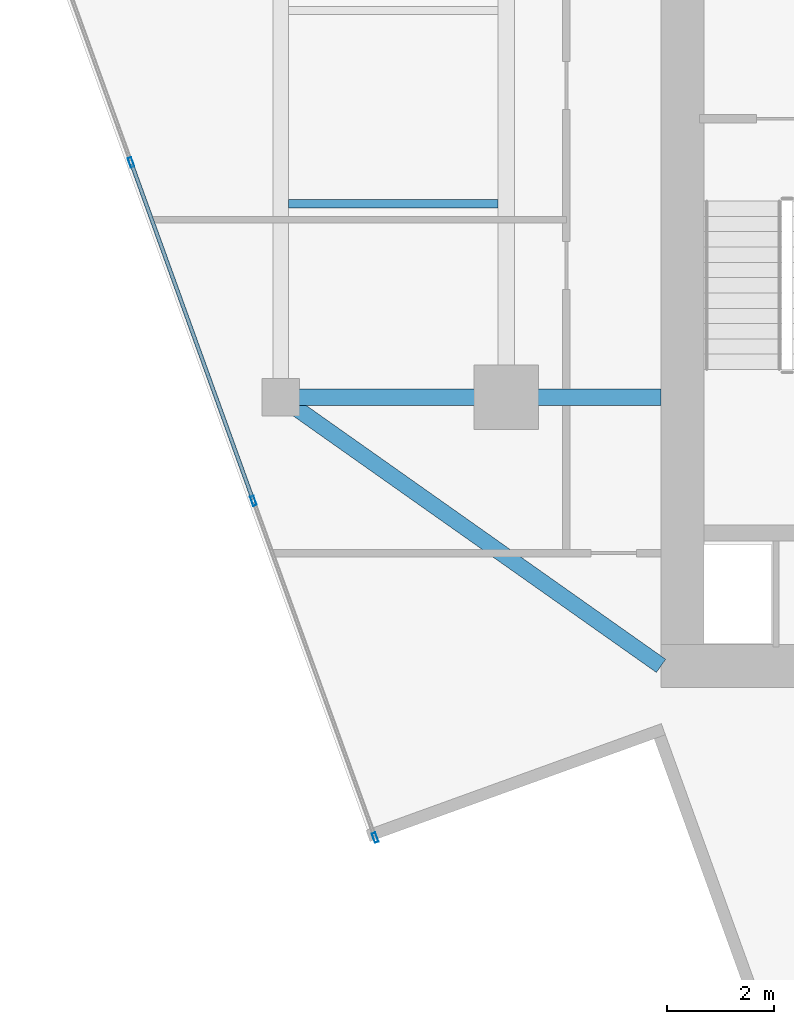
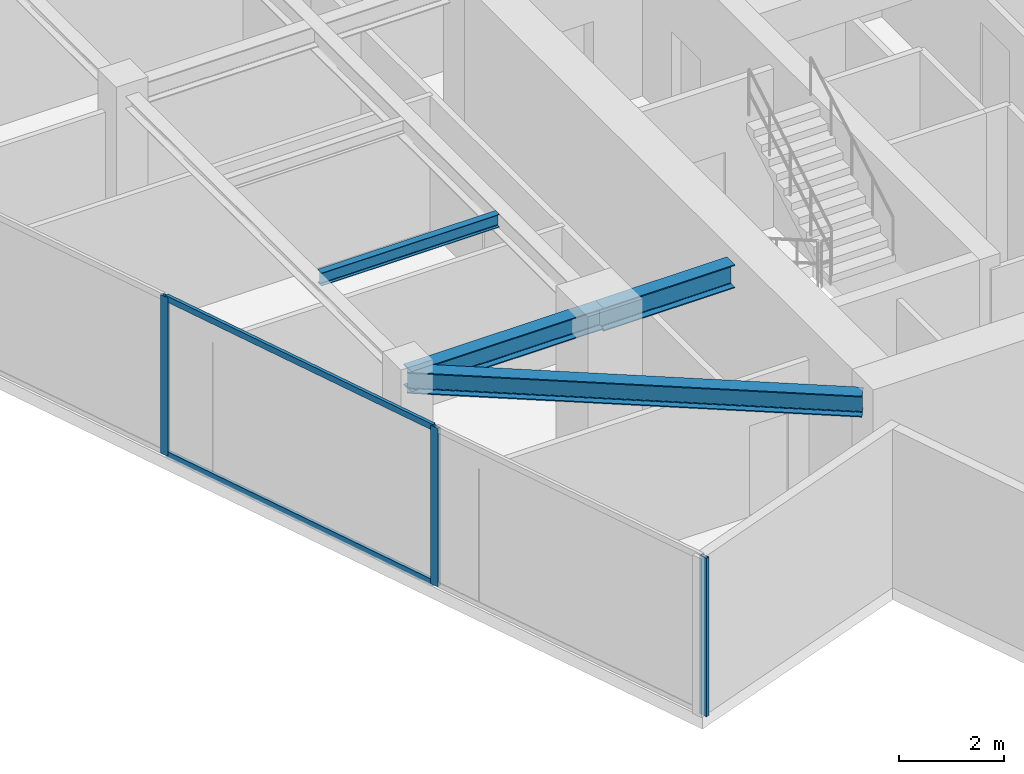
# One storey, part 2 of 21: 5 members, 4 beams, 1 element without a shape of its own.
"""IFC4 building model written with IfcOpenShell, lengths in metres."""

from ifc_helpers import new_model, si_unit, direction, frame, origin, origin_2d, place, context, subcontext, project, spatial, hollow_rectangle, i_section, extrude, source, transform, mapped, material, material_profile, profile_set, type_object, type_shapes, element, aggregate, save


model = new_model("IFC4")

# Units and contexts
model_context = context("Model", 3, precision=1e-05, world=origin(), true_north=direction((0.0, 1.0)))
body_context = subcontext(model_context, "Body", "Model", "MODEL_VIEW")
ifc_project = project(units=[si_unit("LENGTHUNIT", "METRE"), si_unit("AREAUNIT", "SQUARE_METRE"), si_unit("VOLUMEUNIT", "CUBIC_METRE"), si_unit("PLANEANGLEUNIT", "RADIAN"), si_unit("MASSUNIT", "GRAM", prefix="KILO")], contexts=[model_context])

# Site, building, storey
site_placement = place(None, origin())
site = spatial("IfcSite", under=ifc_project, at=site_placement, CompositionType="ELEMENT")
building_placement = place(site_placement, origin())
building = spatial("IfcBuilding", under=site, at=building_placement, Name="Krantzveldt Concourse Tower", CompositionType="ELEMENT")
storey_placement = place(building_placement, frame((0.0, 0.0, 331.64990234375)))
storey = spatial("IfcBuildingStorey", under=building, at=storey_placement, Name="L81", CompositionType="ELEMENT", Elevation=331.64990234375)

# Beams
ifc_material_1 = material(Name="Steel S355JR", Category="steel")
ifc_material_profile_1 = material_profile(ifc_material_1, i_section(OverallWidth=0.300048828125, OverallDepth=0.489990234375, WebThickness=0.011962890625, FlangeThickness=0.02294921875, FilletRadius=0.027099609375, at=origin_2d()), Name="Steel S355JR", Category="steel")
ifc_profile_set_1 = profile_set([ifc_material_profile_1], Name="Steel S355JR - HEA 500")
beam_type_1 = type_object("IfcBeamType", Name="BM-B-HEA500", PredefinedType="BEAM", material=ifc_profile_set_1)
shared_shape_1 = source(origin(), body_context, "Body", "SweptSolid", [
    extrude(i_section(OverallWidth=0.300048828125, OverallDepth=0.489990234375, WebThickness=0.011962890625, FlangeThickness=0.02294921875, FilletRadius=0.027099609375, at=origin_2d()), origin(), (0.0, 0.0, 1.0), 4.199951171875),
])
beam_1_placement = place(storey_placement, frame((21.0, 15.89990234375, 3.425048828125), z_axis=(1.0, 0.0, 0.0), x_axis=(0.0, 1.0, 0.0)))
element("IfcBeam", 1, at=beam_1_placement, inside=storey, type_object=beam_type_1, Name="L81 Tower Girder BR-RL1", PredefinedType="BEAM", context=body_context, shape_type="MappedRepresentation", body=[
    mapped(shared_shape_1, transform((0.0, 0.0, 0.0), x_axis=(1.0, 0.0, 0.0), y_axis=(0.0, 1.0, 0.0), z_axis=(0.0, 0.0, 1.0), scale=1.0)),
])
shared_shape_2 = source(origin(), body_context, "Body", "SweptSolid", [
    extrude(i_section(OverallWidth=0.300048828125, OverallDepth=0.489990234375, WebThickness=0.011962890625, FlangeThickness=0.02294921875, FilletRadius=0.027099609375, at=origin_2d()), origin(), (0.0, 0.0, 1.0), 8.667724609375),
])
type_shapes(beam_type_1, [shared_shape_1, shared_shape_2])
beam_2_placement = place(storey_placement, frame((21.0, 15.89990234375, 3.425048828125), z_axis=(0.81684294656, -0.576860122261, 0.0), x_axis=(0.576860122261, 0.81684294656, 0.0)))
element("IfcBeam", 2, at=beam_2_placement, inside=storey, type_object=beam_type_1, Name="L81 Tower Girder BR-CSW", PredefinedType="BEAM", context=body_context, shape_type="MappedRepresentation", body=[
    mapped(shared_shape_2, transform((0.0, 0.0, 0.0), x_axis=(1.0, 0.0, 0.0), y_axis=(0.0, 1.0, 0.0), z_axis=(0.0, 0.0, 1.0), scale=1.0)),
])
ifc_material_profile_2 = material_profile(ifc_material_1, i_section(OverallWidth=0.300048828125, OverallDepth=0.5400390625, WebThickness=0.012451171875, FlangeThickness=0.02392578125, FilletRadius=0.027099609375, at=origin_2d()), Name="Steel S355JR", Category="steel")
ifc_profile_set_2 = profile_set([ifc_material_profile_2], Name="Steel S355JR - HEA 550")
beam_type_2 = type_object("IfcBeamType", Name="BM-B-HEA550", PredefinedType="BEAM", material=ifc_profile_set_2)
shared_shape_3 = source(origin(), body_context, "Body", "SweptSolid", [
    extrude(i_section(OverallWidth=0.300048828125, OverallDepth=0.5400390625, WebThickness=0.012451171875, FlangeThickness=0.02392578125, FilletRadius=0.027099609375, at=origin_2d()), origin(), (0.0, 0.0, 1.0), 2.880126953125),
])
type_shapes(beam_type_2, [shared_shape_3])
beam_3_placement = place(storey_placement, frame((25.199951171875, 15.89990234375, 3.400146484375), z_axis=(1.0, 0.0, 0.0), x_axis=(0.0, 1.0, 0.0)))
element("IfcBeam", 3, at=beam_3_placement, inside=storey, type_object=beam_type_2, Name="L81 Tower Girder BG-CW1", PredefinedType="BEAM", context=body_context, shape_type="MappedRepresentation", body=[
    mapped(shared_shape_3, transform((0.0, 0.0, 0.0), x_axis=(1.0, 0.0, 0.0), y_axis=(0.0, 1.0, 0.0), z_axis=(0.0, 0.0, 1.0), scale=1.0)),
])
ifc_material_profile_3 = material_profile(ifc_material_1, i_section(OverallWidth=0.14990234375, OverallDepth=0.300048828125, WebThickness=0.007080078125, FlangeThickness=0.0107421875, FilletRadius=0.014892578125, at=origin_2d()), Name="Steel S355JR", Category="steel")
ifc_profile_set_3 = profile_set([ifc_material_profile_3], Name="Steel S355JR - IPE 300")
beam_type_3 = type_object("IfcBeamType", Name="BM-J-IPE300", PredefinedType="JOIST", material=ifc_profile_set_3)
shared_shape_4 = source(origin(), body_context, "Body", "SweptSolid", [
    extrude(i_section(OverallWidth=0.14990234375, OverallDepth=0.300048828125, WebThickness=0.007080078125, FlangeThickness=0.0107421875, FilletRadius=0.014892578125, at=origin_2d()), origin(), (0.0, 0.0, 1.0), 3.900146484375),
])
type_shapes(beam_type_3, [shared_shape_4])
beam_4_placement = place(storey_placement, frame((21.14990234375, 19.5, 3.52001953125), z_axis=(1.0, 0.0, 0.0), x_axis=(0.0, 1.0, 0.0)))
element("IfcBeam", 4, at=beam_4_placement, inside=storey, type_object=beam_type_3, Name="L81 Secondary Floor Joist JW-1", PredefinedType="JOIST", context=body_context, shape_type="MappedRepresentation", body=[
    mapped(shared_shape_4, transform((0.0, 0.0, 0.0), x_axis=(1.0, 0.0, 0.0), y_axis=(0.0, 1.0, 0.0), z_axis=(0.0, 0.0, 1.0), scale=1.0)),
])

# Curtain wall, members
ifc_material_2 = material(Name="Anodised aluminium 6063-T6", Category="aluminium")
curtain_wall_type = type_object("IfcCurtainWallType", Name="CW4", PredefinedType="USERDEFINED", material=ifc_material_2)
curtain_wall_placement = place(storey_placement, origin())
curtain_wall = element("IfcCurtainWall", 5, at=curtain_wall_placement, inside=storey, type_object=curtain_wall_type, Name="CW-L81-F04", ObjectType="UNITISED CURTAIN WALL", PredefinedType="USERDEFINED")
ifc_material_profile_4 = material_profile(ifc_material_2, hollow_rectangle(XDim=0.070068359375, YDim=0.179931640625, WallThickness=0.0048828125, at=origin_2d()), Name="Anodised aluminium 6063-T6", Category="aluminium")
ifc_profile_set_4 = profile_set([ifc_material_profile_4], Name="Anodised aluminium 6063-T6 - ALU-MULL 180x70x5")
member_type_1 = type_object("IfcMemberType", Name="CW-MUL-180", PredefinedType="MULLION", material=ifc_profile_set_4)
shared_shape_5 = source(origin(), body_context, "Body", "SweptSolid", [
    extrude(hollow_rectangle(XDim=0.070068359375, YDim=0.179931640625, WallThickness=0.0048828125, at=origin_2d()), origin(), (0.0, 0.0, 1.0), 3.670166015625),
])
type_shapes(member_type_1, [shared_shape_5])
member_1_placement = place(storey_placement, frame((18.21630859375, 20.271240234375, 0.0), z_axis=(0.0, 0.0, 1.0), x_axis=(0.940436624478, 0.339969050563, 0.0)))
member_1 = element("IfcMember", 6, at=member_1_placement, type_object=member_type_1, Name="CW-Z56 mullion 3", PredefinedType="MULLION", context=body_context, shape_type="MappedRepresentation", body=[
    mapped(shared_shape_5, transform((0.0, 0.0, 0.0), x_axis=(1.0, 0.0, 0.0), y_axis=(0.0, 1.0, 0.0), z_axis=(0.0, 0.0, 1.0), scale=1.0)),
])
member_2_placement = place(storey_placement, frame((20.494140625, 13.97021484375, 0.0), z_axis=(0.0, 0.0, 1.0), x_axis=(0.940436624478, 0.339969050563, 0.0)))
member_2 = element("IfcMember", 7, at=member_2_placement, type_object=member_type_1, Name="CW-Z56 mullion 4", PredefinedType="MULLION", context=body_context, shape_type="MappedRepresentation", body=[
    mapped(shared_shape_5, transform((0.0, 0.0, 0.0), x_axis=(1.0, 0.0, 0.0), y_axis=(0.0, 1.0, 0.0), z_axis=(0.0, 0.0, 1.0), scale=1.0)),
])
member_3_placement = place(storey_placement, frame((22.760009765625, 7.7021484375, 0.0), z_axis=(0.0, 0.0, 1.0), x_axis=(0.940436624478, 0.339969050563, 0.0)))
member_3 = element("IfcMember", 8, at=member_3_placement, type_object=member_type_1, Name="CW-Z56 mullion 5", PredefinedType="MULLION", context=body_context, shape_type="MappedRepresentation", body=[
    mapped(shared_shape_5, transform((0.0, 0.0, 0.0), x_axis=(1.0, 0.0, 0.0), y_axis=(0.0, 1.0, 0.0), z_axis=(0.0, 0.0, 1.0), scale=1.0)),
])
ifc_material_profile_5 = material_profile(ifc_material_2, hollow_rectangle(XDim=0.070068359375, YDim=0.139892578125, WallThickness=0.0048828125, at=origin_2d()), Name="Anodised aluminium 6063-T6", Category="aluminium")
ifc_profile_set_5 = profile_set([ifc_material_profile_5], Name="Anodised aluminium 6063-T6 - ALU-TRAN 140x70x5")
member_type_2 = type_object("IfcMemberType", Name="CW-TRN-150", PredefinedType="USERDEFINED", material=ifc_profile_set_5)
shared_shape_6 = source(origin(), body_context, "Body", "SweptSolid", [
    extrude(hollow_rectangle(XDim=0.070068359375, YDim=0.139892578125, WallThickness=0.0048828125, at=origin_2d()), origin(), (0.0, 0.0, 1.0), 6.6298828125),
])
type_shapes(member_type_2, [shared_shape_6])
member_4_placement = place(storey_placement, frame((18.228271484375, 20.23828125, 0.03515625), z_axis=(0.339956629823, -0.940441114499, 0.0), x_axis=(0.940441114499, 0.339956629823, 0.0)))
member_4 = element("IfcMember", 9, at=member_4_placement, type_object=member_type_2, Name="CW-Z56 transom 3.1", ObjectType="TRANSOM", PredefinedType="USERDEFINED", context=body_context, shape_type="MappedRepresentation", body=[
    mapped(shared_shape_6, transform((0.0, 0.0, 0.0), x_axis=(1.0, 0.0, 0.0), y_axis=(0.0, 1.0, 0.0), z_axis=(0.0, 0.0, 1.0), scale=1.0)),
])
member_5_placement = place(storey_placement, frame((18.228271484375, 20.23828125, 3.635009765625), z_axis=(0.339956629823, -0.940441114499, 0.0), x_axis=(0.940441114499, 0.339956629823, 0.0)))
member_5 = element("IfcMember", 10, at=member_5_placement, type_object=member_type_2, Name="CW-Z56 transom 3.2", ObjectType="TRANSOM", PredefinedType="USERDEFINED", context=body_context, shape_type="MappedRepresentation", body=[
    mapped(shared_shape_6, transform((0.0, 0.0, 0.0), x_axis=(1.0, 0.0, 0.0), y_axis=(0.0, 1.0, 0.0), z_axis=(0.0, 0.0, 1.0), scale=1.0)),
])
aggregate(curtain_wall, [member_1, member_2, member_3, member_4, member_5])

save(model, "model.ifc")
